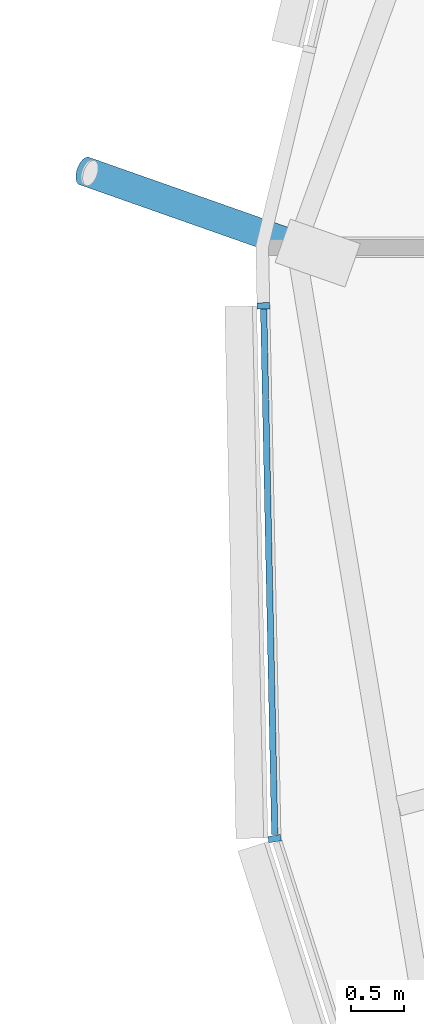
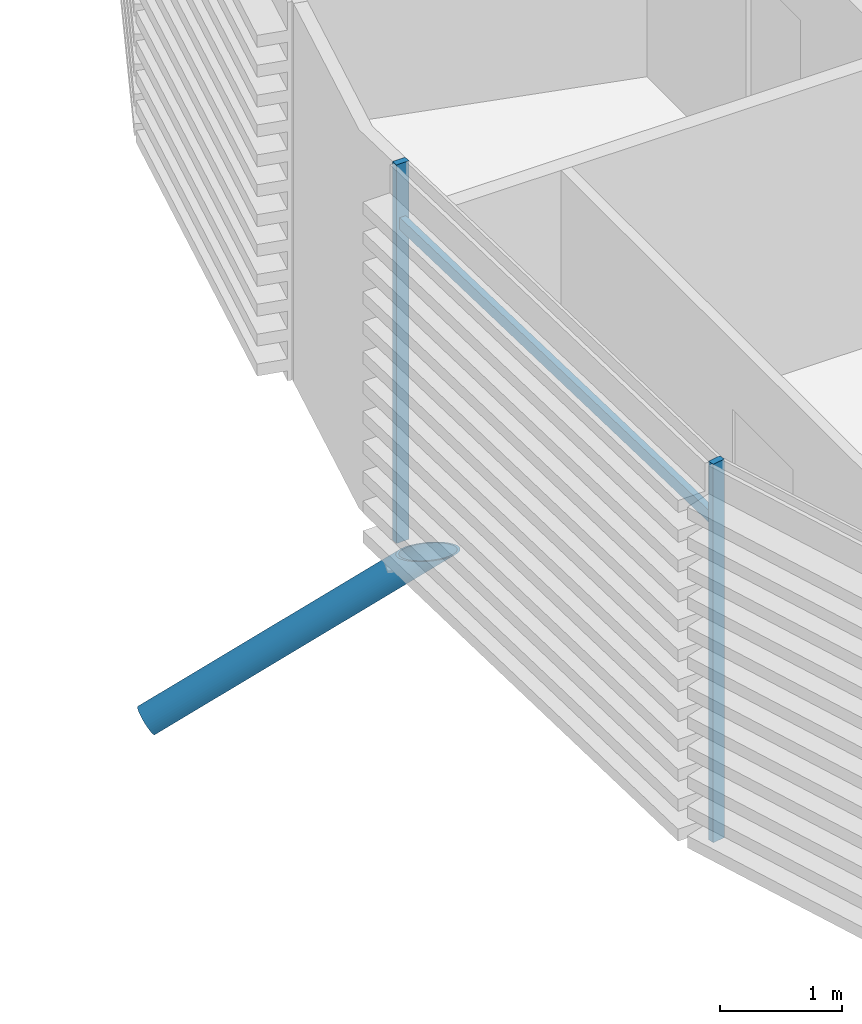
# One storey, part 7 of 36: 4 members, 1 element without a shape of its own.
"""IFC4 building model written with IfcOpenShell, lengths in metres."""

import ifcopenshell
import ifcopenshell.guid

model = None  # the IFC model being written
_history = None  # IfcOwnerHistory: only IFC2X3 demands one
_inside = {}  # id of a spatial element -> (the spatial element, [elements in it])
_under = {}  # id of a project, library or spatial element -> (it, [spatial elements below it])
_declared = {}  # id of a project -> (the project, [libraries it declares])
_typed = {}  # id of a type object -> (the type object, [elements of that type])
_made_of = {}  # id of a material, layer set ... -> (it, [elements and type objects made of it])


def new_model(schema):
    """Start an empty IFC model of exactly this schema.

    Asked for "IFC4X3", IfcOpenShell would pick the latest addendum, in which some entities
    have other attributes; the version numbers below select the first issue.
    IFC2X3 requires an IfcOwnerHistory on every rooted entity: one is made here for all.
    """
    global model, _history
    if schema == "IFC4X3":
        model = ifcopenshell.file(schema_version=(4, 3, 0, 0))
    else:
        model = ifcopenshell.file(schema=schema)
    _inside.clear()
    _under.clear()
    _declared.clear()
    _typed.clear()
    _made_of.clear()
    _history = None
    if model.schema == "IFC2X3":
        org = make("IfcOrganization", Name="unknown")
        user = make(
            "IfcPersonAndOrganization",
            ThePerson=make("IfcPerson", FamilyName="unknown"),
            TheOrganization=org,
        )
        app = make(
            "IfcApplication",
            ApplicationDeveloper=org,
            Version="unknown",
            ApplicationFullName="unknown",
            ApplicationIdentifier="unknown",
        )
        _history = make(
            "IfcOwnerHistory",
            OwningUser=user,
            OwningApplication=app,
            ChangeAction="ADDED",
            CreationDate=0,
        )
    return model


def make(cls, **values):
    """One entity of the class cls with the attributes given. An attribute that is None is left unset."""
    return model.create_entity(
        cls, **{name: value for name, value in values.items() if value is not None}
    )


def rooted(cls, **values):
    """An entity with a GlobalId (a new one), such as an element, a storey or a relation."""
    return make(cls, GlobalId=ifcopenshell.guid.new(), OwnerHistory=_history, **values)


def si_unit(unit_type, name, prefix=None):
    """IfcSIUnit, for example si_unit("LENGTHUNIT", "METRE", prefix="MILLI")."""
    return make("IfcSIUnit", UnitType=unit_type, Prefix=prefix, Name=name)


def assignment(units):
    """IfcUnitAssignment: the units of a project."""
    return None if units is None else make("IfcUnitAssignment", Units=units)


def point(xyz):
    """IfcCartesianPoint."""
    return None if xyz is None else make("IfcCartesianPoint", Coordinates=xyz)


def direction(xyz):
    """IfcDirection."""
    return None if xyz is None else make("IfcDirection", DirectionRatios=xyz)


def frame(location, z_axis=None, x_axis=None):
    """IfcAxis2Placement3D, a coordinate frame: its origin and axes. An axis left out is left unset."""
    return make(
        "IfcAxis2Placement3D",
        Location=point(location),
        Axis=direction(z_axis),
        RefDirection=direction(x_axis),
    )


def frame_2d(location, x_axis=None):
    """IfcAxis2Placement2D, a coordinate frame in the plane: its origin and x axis."""
    return make(
        "IfcAxis2Placement2D", Location=point(location), RefDirection=direction(x_axis)
    )


def origin():
    """The frame at (0, 0, 0) with its axes left unset."""
    return frame((0.0, 0.0, 0.0))


def origin_2d():
    """The frame at (0, 0) in the plane with its x axis left unset."""
    return frame_2d((0.0, 0.0))


def place(relative_to, where):
    """IfcLocalPlacement: puts the frame where relative to a parent placement (None: the world)."""
    return make(
        "IfcLocalPlacement", PlacementRelTo=relative_to, RelativePlacement=where
    )


def context(
    kind, dimensions, precision=None, world=None, true_north=None, identifier=None
):
    """IfcGeometricRepresentationContext, for example the 3D "Model" context."""
    return make(
        "IfcGeometricRepresentationContext",
        ContextIdentifier=identifier,
        ContextType=kind,
        CoordinateSpaceDimension=dimensions,
        Precision=precision,
        WorldCoordinateSystem=world,
        TrueNorth=true_north,
    )


def subcontext(parent, identifier, kind, view, scale=None):
    """IfcGeometricRepresentationSubContext, for example "Body" below "Model"."""
    return make(
        "IfcGeometricRepresentationSubContext",
        ContextIdentifier=identifier,
        ContextType=kind,
        ParentContext=parent,
        TargetScale=scale,
        TargetView=view,
    )


def project(units=None, contexts=None):
    """IfcProject with its units and contexts."""
    return rooted(
        "IfcProject",
        Name="project",
        RepresentationContexts=contexts,
        UnitsInContext=assignment(units),
    )


def spatial(cls, under=None, at=None, **own):
    """A site, building, storey or space (cls), placed at a placement, below another one or the project."""
    s = rooted(cls, ObjectPlacement=at, **own)
    if under is not None:
        _under.setdefault(under.id(), (under, []))[1].append(s)
    return s


def profile(cls, at=None, kind="AREA", **sizes):
    """A parametric profile (cls). Its sizes go by their IFC names, for example OverallWidth=200.0."""
    return make(cls, ProfileType=kind, Position=at, **sizes)


def rectangle(**sizes):
    """IfcRectangleProfileDef."""
    return profile("IfcRectangleProfileDef", **sizes)


def hollow_circle(**sizes):
    """IfcCircleHollowProfileDef."""
    return profile("IfcCircleHollowProfileDef", **sizes)


def extrude(swept, where, along, depth):
    """IfcExtrudedAreaSolid: the profile swept, set in the frame where, extruded along a direction by depth."""
    return make(
        "IfcExtrudedAreaSolid",
        SweptArea=swept,
        Position=where,
        ExtrudedDirection=direction(along),
        Depth=depth,
    )


def clip(a, b, op="DIFFERENCE"):
    """IfcBooleanClippingResult: the solid a cut by the half space b."""
    return make(
        "IfcBooleanClippingResult", Operator=op, FirstOperand=a, SecondOperand=b
    )


def halfspace(plane, agree):
    """IfcHalfSpaceSolid: all space on one side of the plane z = 0 of the frame plane."""
    return make(
        "IfcHalfSpaceSolid",
        BaseSurface=make("IfcPlane", Position=plane),
        AgreementFlag=agree,
    )


def shape(context_of_items, identifier, shape_type, items):
    """IfcShapeRepresentation: the items that make up one representation, for example the "Body"."""
    return make(
        "IfcShapeRepresentation",
        ContextOfItems=context_of_items,
        RepresentationIdentifier=identifier,
        RepresentationType=shape_type,
        Items=items,
    )


def material(Name=None, Category=None):
    """IfcMaterial."""
    return make("IfcMaterial", Name=Name, Category=Category)


def material_profile(
    of_material, cross_section, Name=None, Category=None, Priority=None
):
    """IfcMaterialProfile: a cross section and its material."""
    return make(
        "IfcMaterialProfile",
        Name=Name,
        Material=of_material,
        Profile=cross_section,
        Priority=Priority,
        Category=Category,
    )


def profile_set(profiles, Name=None, composite=None):
    """IfcMaterialProfileSet."""
    return make(
        "IfcMaterialProfileSet",
        Name=Name,
        MaterialProfiles=profiles,
        CompositeProfile=composite,
    )


def made_of(thing, what):
    """Note that an element or type object is made of a material, layer set ...; save() writes the relation."""
    if what is not None:
        _made_of.setdefault(what.id(), (what, []))[1].append(thing)
    return thing


def type_object(cls, material=None, **own):
    """A type object (cls), such as IfcWallType, which elements share."""
    return made_of(rooted(cls, **own), material)


def element(
    cls,
    number,
    at=None,
    inside=None,
    cuts=None,
    type_object=None,
    material=None,
    context=None,
    identifier="Body",
    shape_type=None,
    held_by="IfcProductDefinitionShape",
    body=None,
    shapes=None,
    **own,
):
    """One element of the class cls, such as IfcWall. Its Tag is "e" and its number.

    at: its placement. inside: the storey or other place that contains it. cuts: it is an
    opening in that element (IfcRelVoidsElement). A single representation is given by context,
    identifier, shape_type and body (its items); several are given by shapes. held_by: the class
    of the entity that holds the representations. save() writes the other relations.
    """
    e = rooted(cls, Tag="e%d" % number, ObjectPlacement=at, **own)
    if body is not None:
        shapes = [shape(context, identifier, shape_type, body)]
    if shapes is not None:
        e.Representation = make(held_by, Representations=shapes)
    if inside is not None:
        _inside.setdefault(inside.id(), (inside, []))[1].append(e)
    if cuts is not None:
        rooted(
            "IfcRelVoidsElement", RelatingBuildingElement=cuts, RelatedOpeningElement=e
        )
    if type_object is not None:
        _typed.setdefault(type_object.id(), (type_object, []))[1].append(e)
    return made_of(e, material)


def aggregate(whole, parts):
    """IfcRelAggregates: a whole, such as a stair, and the parts it consists of."""
    return rooted("IfcRelAggregates", RelatingObject=whole, RelatedObjects=parts)


def save(model, path):
    """Write the relations noted so far, then the file.

    IfcRelAggregates (storeys below a building ...), IfcRelContainedInSpatialStructure (elements
    in a storey), IfcRelDefinesByType, IfcRelAssociatesMaterial and IfcRelDeclares: one each for
    every whole, place, type object, material and project.
    """
    for whole, parts in _under.values():
        aggregate(whole, parts)
    for where, things in _inside.values():
        rooted(
            "IfcRelContainedInSpatialStructure",
            RelatedElements=things,
            RelatingStructure=where,
        )
    for kind, things in _typed.values():
        rooted("IfcRelDefinesByType", RelatedObjects=things, RelatingType=kind)
    for what, things in _made_of.values():
        rooted("IfcRelAssociatesMaterial", RelatedObjects=things, RelatingMaterial=what)
    for by, libraries in _declared.values():
        rooted("IfcRelDeclares", RelatingContext=by, RelatedDefinitions=libraries)
    model.write(path)


model = new_model("IFC4")

# Units and contexts
model_context = context("Model", 3, precision=1e-05, world=origin(), true_north=direction((0.0, 1.0)))
body_context = subcontext(model_context, "Body", "Model", "MODEL_VIEW")
ifc_project = project(units=[si_unit("LENGTHUNIT", "METRE"), si_unit("AREAUNIT", "SQUARE_METRE"), si_unit("VOLUMEUNIT", "CUBIC_METRE"), si_unit("PLANEANGLEUNIT", "RADIAN"), si_unit("MASSUNIT", "GRAM", prefix="KILO")], contexts=[model_context])

# Site, building, storey
site_placement = place(None, origin())
site = spatial("IfcSite", under=ifc_project, at=site_placement, CompositionType="ELEMENT")
building_placement = place(site_placement, origin())
building = spatial("IfcBuilding", under=site, at=building_placement, Name="Rimbun Link Towers", CompositionType="ELEMENT")
storey_placement = place(building_placement, frame((0.0, 0.0, 174.10009765625)))
storey = spatial("IfcBuildingStorey", under=building, at=storey_placement, Name="L42", CompositionType="ELEMENT", Elevation=174.10009765625)

# Curtain wall, members
ifc_material_1 = material(Name="Aluminium 6063-T6 and low-iron glass", Category="aluminium")
curtain_wall_type = type_object("IfcCurtainWallType", Name="CW1-Z3 unitised vision wall (zone 3)", PredefinedType="NOTDEFINED", material=ifc_material_1)
curtain_wall_placement = place(storey_placement, origin())
curtain_wall = element("IfcCurtainWall", 1, at=curtain_wall_placement, inside=storey, type_object=curtain_wall_type, Name="CW1 L42 T2", PredefinedType="NOTDEFINED")
ifc_material_2 = material(Name="Aluminium 6063-T6", Category="aluminium")
ifc_material_profile_1 = material_profile(ifc_material_2, rectangle(XDim=0.1201171875, YDim=0.06005859375, at=origin_2d()), Name="MULLION 60X120")
ifc_profile_set_1 = profile_set([ifc_material_profile_1], Name="Aluminium 6063-T6")
member_type_1 = type_object("IfcMemberType", Name="CW1 mullion 60X120", PredefinedType="MULLION", material=ifc_profile_set_1)
member_1_placement = place(storey_placement, frame((10.974609375, -5.560791015625, 0.0), z_axis=(0.0, 0.0, 1.0), x_axis=(-0.986503078332, -0.163742714165, 0.0)))
member_1 = element("IfcMember", 2, at=member_1_placement, type_object=member_type_1, Name="CW1 mullion", PredefinedType="MULLION", context=body_context, shape_type="SweptSolid", body=[
    extrude(rectangle(XDim=0.1201171875, YDim=0.06005859375, at=origin_2d()), origin(), (0.0, 0.0, 1.0), 3.7998046875),
])
member_2_placement = place(storey_placement, frame((10.868408203125, -0.551025390625, 0.0), z_axis=(0.0, 0.0, 1.0), x_axis=(-0.999778319348, -0.021054979477, 0.0)))
member_2 = element("IfcMember", 3, at=member_2_placement, type_object=member_type_1, Name="CW1 mullion", PredefinedType="MULLION", context=body_context, shape_type="SweptSolid", body=[
    extrude(rectangle(XDim=0.1201171875, YDim=0.06005859375, at=origin_2d()), origin(), (0.0, 0.0, 1.0), 3.7998046875),
])
ifc_material_3 = material(Name="Aluminium 6063-T6", Category="aluminium")
ifc_material_profile_2 = material_profile(ifc_material_3, rectangle(XDim=0.06005859375, YDim=0.1201171875, at=origin_2d()), Name="TRANSOM 60X120")
ifc_profile_set_2 = profile_set([ifc_material_profile_2], Name="Aluminium 6063-T6")
member_type_2 = type_object("IfcMemberType", Name="CW1 transom 60X120", PredefinedType="USERDEFINED", material=ifc_profile_set_2)
member_3_placement = place(storey_placement, frame((10.97509765625, -5.522216796875, 3.199951171875), z_axis=(-0.021043809685, 0.999778554518, 0.0), x_axis=(-0.999778554518, -0.021043809685, 0.0)))
member_3 = element("IfcMember", 4, at=member_3_placement, type_object=member_type_2, Name="CW1 transom", ObjectType="TRANSOM", PredefinedType="USERDEFINED", context=body_context, shape_type="SweptSolid", body=[
    extrude(rectangle(XDim=0.06005859375, YDim=0.1201171875, at=origin_2d()), origin(), (0.0, 0.0, 1.0), 4.942138671875),
])
aggregate(curtain_wall, [member_1, member_2, member_3])

# Member
ifc_material_4 = material(Name="Steel S355J2H", Category="steel")
ifc_material_profile_3 = material_profile(ifc_material_4, hollow_circle(Radius=0.136474609375, WallThickness=0.012451171875, at=origin_2d()), Name="CHS 273x12.5")
ifc_profile_set_3 = profile_set([ifc_material_profile_3], Name="Steel S355J2H")
member_type_3 = type_object("IfcMemberType", Name="Floor edge link CHS 273x12.5", PredefinedType="BRACE", material=ifc_profile_set_3)
member_4_placement = place(storey_placement, frame((11.223876953125, 0.0, -0.720703125), z_axis=(-0.8123678489, 0.285962820374, -0.508216236889), x_axis=(-0.332040204651, -0.943265234436, 0.0)))
element("IfcMember", 5, at=member_4_placement, inside=storey, type_object=member_type_3, Name="Floor edge link T2 L42 09", PredefinedType="BRACE", context=body_context, shape_type="Clipping", body=[
    clip(extrude(hollow_circle(Radius=0.136474609375, WallThickness=0.012451171875, at=origin_2d()), frame((0.0, 0.0, -0.482421875)), (0.0, 0.0, 1.0), 2.992431640625), halfspace(frame((0.0, 0.0, -0.226806640625), z_axis=(0.0, 0.86122950284, -0.508216236889)), False)),
])

save(model, "model.ifc")
